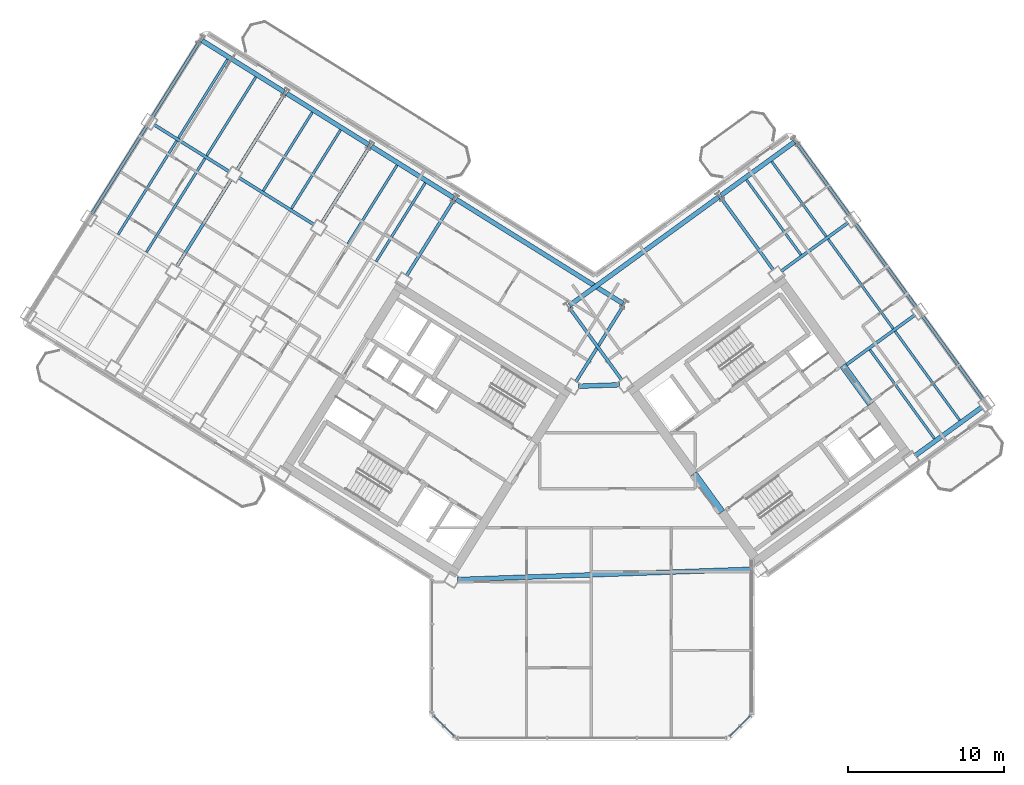
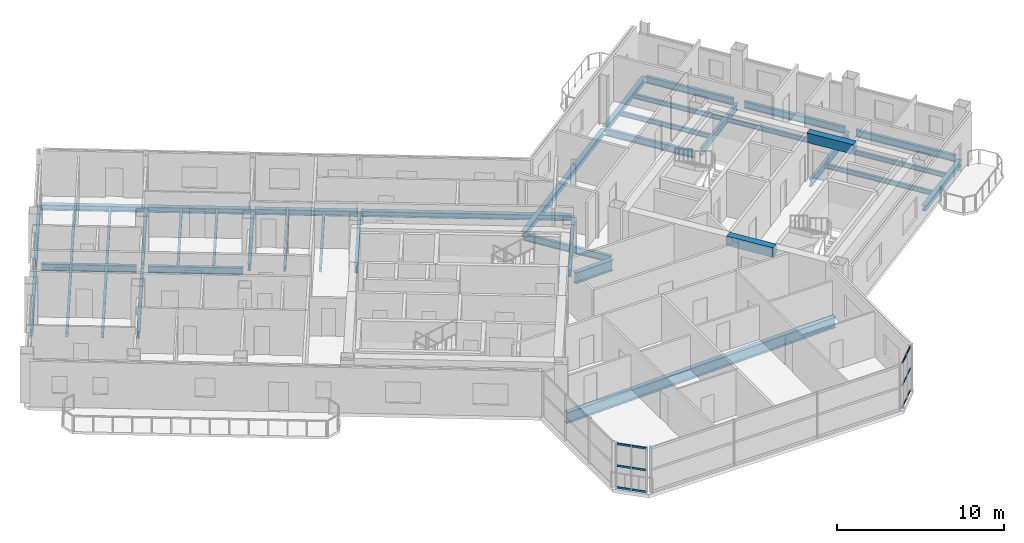
# One storey, part 7 of 21: 40 beams, 12 members, 2 elements without a shape of their own.
"""IFC4 building model written with IfcOpenShell, lengths in metres."""

import ifcopenshell
import ifcopenshell.guid

model = None  # the IFC model being written
_history = None  # IfcOwnerHistory: only IFC2X3 demands one
_inside = {}  # id of a spatial element -> (the spatial element, [elements in it])
_under = {}  # id of a project, library or spatial element -> (it, [spatial elements below it])
_declared = {}  # id of a project -> (the project, [libraries it declares])
_typed = {}  # id of a type object -> (the type object, [elements of that type])
_made_of = {}  # id of a material, layer set ... -> (it, [elements and type objects made of it])


def new_model(schema):
    """Start an empty IFC model of exactly this schema.

    Asked for "IFC4X3", IfcOpenShell would pick the latest addendum, in which some entities
    have other attributes; the version numbers below select the first issue.
    IFC2X3 requires an IfcOwnerHistory on every rooted entity: one is made here for all.
    """
    global model, _history
    if schema == "IFC4X3":
        model = ifcopenshell.file(schema_version=(4, 3, 0, 0))
    else:
        model = ifcopenshell.file(schema=schema)
    _inside.clear()
    _under.clear()
    _declared.clear()
    _typed.clear()
    _made_of.clear()
    _history = None
    if model.schema == "IFC2X3":
        org = make("IfcOrganization", Name="unknown")
        user = make(
            "IfcPersonAndOrganization",
            ThePerson=make("IfcPerson", FamilyName="unknown"),
            TheOrganization=org,
        )
        app = make(
            "IfcApplication",
            ApplicationDeveloper=org,
            Version="unknown",
            ApplicationFullName="unknown",
            ApplicationIdentifier="unknown",
        )
        _history = make(
            "IfcOwnerHistory",
            OwningUser=user,
            OwningApplication=app,
            ChangeAction="ADDED",
            CreationDate=0,
        )
    return model


def make(cls, **values):
    """One entity of the class cls with the attributes given. An attribute that is None is left unset."""
    return model.create_entity(
        cls, **{name: value for name, value in values.items() if value is not None}
    )


def rooted(cls, **values):
    """An entity with a GlobalId (a new one), such as an element, a storey or a relation."""
    return make(cls, GlobalId=ifcopenshell.guid.new(), OwnerHistory=_history, **values)


def si_unit(unit_type, name, prefix=None):
    """IfcSIUnit, for example si_unit("LENGTHUNIT", "METRE", prefix="MILLI")."""
    return make("IfcSIUnit", UnitType=unit_type, Prefix=prefix, Name=name)


def assignment(units):
    """IfcUnitAssignment: the units of a project."""
    return None if units is None else make("IfcUnitAssignment", Units=units)


def point(xyz):
    """IfcCartesianPoint."""
    return None if xyz is None else make("IfcCartesianPoint", Coordinates=xyz)


def direction(xyz):
    """IfcDirection."""
    return None if xyz is None else make("IfcDirection", DirectionRatios=xyz)


def frame(location, z_axis=None, x_axis=None):
    """IfcAxis2Placement3D, a coordinate frame: its origin and axes. An axis left out is left unset."""
    return make(
        "IfcAxis2Placement3D",
        Location=point(location),
        Axis=direction(z_axis),
        RefDirection=direction(x_axis),
    )


def frame_2d(location, x_axis=None):
    """IfcAxis2Placement2D, a coordinate frame in the plane: its origin and x axis."""
    return make(
        "IfcAxis2Placement2D", Location=point(location), RefDirection=direction(x_axis)
    )


def origin():
    """The frame at (0, 0, 0) with its axes left unset."""
    return frame((0.0, 0.0, 0.0))


def origin_2d():
    """The frame at (0, 0) in the plane with its x axis left unset."""
    return frame_2d((0.0, 0.0))


def place(relative_to, where):
    """IfcLocalPlacement: puts the frame where relative to a parent placement (None: the world)."""
    return make(
        "IfcLocalPlacement", PlacementRelTo=relative_to, RelativePlacement=where
    )


def context(
    kind, dimensions, precision=None, world=None, true_north=None, identifier=None
):
    """IfcGeometricRepresentationContext, for example the 3D "Model" context."""
    return make(
        "IfcGeometricRepresentationContext",
        ContextIdentifier=identifier,
        ContextType=kind,
        CoordinateSpaceDimension=dimensions,
        Precision=precision,
        WorldCoordinateSystem=world,
        TrueNorth=true_north,
    )


def subcontext(parent, identifier, kind, view, scale=None):
    """IfcGeometricRepresentationSubContext, for example "Body" below "Model"."""
    return make(
        "IfcGeometricRepresentationSubContext",
        ContextIdentifier=identifier,
        ContextType=kind,
        ParentContext=parent,
        TargetScale=scale,
        TargetView=view,
    )


def project(units=None, contexts=None):
    """IfcProject with its units and contexts."""
    return rooted(
        "IfcProject",
        Name="project",
        RepresentationContexts=contexts,
        UnitsInContext=assignment(units),
    )


def spatial(cls, under=None, at=None, **own):
    """A site, building, storey or space (cls), placed at a placement, below another one or the project."""
    s = rooted(cls, ObjectPlacement=at, **own)
    if under is not None:
        _under.setdefault(under.id(), (under, []))[1].append(s)
    return s


def profile(cls, at=None, kind="AREA", **sizes):
    """A parametric profile (cls). Its sizes go by their IFC names, for example OverallWidth=200.0."""
    return make(cls, ProfileType=kind, Position=at, **sizes)


def rectangle(**sizes):
    """IfcRectangleProfileDef."""
    return profile("IfcRectangleProfileDef", **sizes)


def hollow_rectangle(**sizes):
    """IfcRectangleHollowProfileDef."""
    return profile("IfcRectangleHollowProfileDef", **sizes)


def i_section(**sizes):
    """IfcIShapeProfileDef."""
    return profile("IfcIShapeProfileDef", **sizes)


def extrude(swept, where, along, depth):
    """IfcExtrudedAreaSolid: the profile swept, set in the frame where, extruded along a direction by depth."""
    return make(
        "IfcExtrudedAreaSolid",
        SweptArea=swept,
        Position=where,
        ExtrudedDirection=direction(along),
        Depth=depth,
    )


def shape(context_of_items, identifier, shape_type, items):
    """IfcShapeRepresentation: the items that make up one representation, for example the "Body"."""
    return make(
        "IfcShapeRepresentation",
        ContextOfItems=context_of_items,
        RepresentationIdentifier=identifier,
        RepresentationType=shape_type,
        Items=items,
    )


def source(mapping_origin, context_of_items, identifier, shape_type, items):
    """IfcRepresentationMap: a shape defined once, which mapped items show again and again."""
    return make(
        "IfcRepresentationMap",
        MappingOrigin=mapping_origin,
        MappedRepresentation=shape(context_of_items, identifier, shape_type, items),
    )


def transform(
    local_origin,
    x_axis=None,
    y_axis=None,
    z_axis=None,
    scale=None,
    scale2=None,
    scale3=None,
    uniform=True,
):
    """IfcCartesianTransformationOperator3D, or its non-uniform kind. x_axis, y_axis, z_axis: its Axis1, 2, 3."""
    if uniform:
        return make(
            "IfcCartesianTransformationOperator3D",
            Axis1=direction(x_axis),
            Axis2=direction(y_axis),
            LocalOrigin=point(local_origin),
            Scale=scale,
            Axis3=direction(z_axis),
        )
    return make(
        "IfcCartesianTransformationOperator3DnonUniform",
        Axis1=direction(x_axis),
        Axis2=direction(y_axis),
        LocalOrigin=point(local_origin),
        Scale=scale,
        Axis3=direction(z_axis),
        Scale2=scale2,
        Scale3=scale3,
    )


def mapped(mapping_source, mapping_target):
    """IfcMappedItem: shows the shape of a source again, moved by a transform."""
    return make(
        "IfcMappedItem", MappingSource=mapping_source, MappingTarget=mapping_target
    )


def material(Name=None, Category=None):
    """IfcMaterial."""
    return make("IfcMaterial", Name=Name, Category=Category)


def material_profile(
    of_material, cross_section, Name=None, Category=None, Priority=None
):
    """IfcMaterialProfile: a cross section and its material."""
    return make(
        "IfcMaterialProfile",
        Name=Name,
        Material=of_material,
        Profile=cross_section,
        Priority=Priority,
        Category=Category,
    )


def profile_set(profiles, Name=None, composite=None):
    """IfcMaterialProfileSet."""
    return make(
        "IfcMaterialProfileSet",
        Name=Name,
        MaterialProfiles=profiles,
        CompositeProfile=composite,
    )


def made_of(thing, what):
    """Note that an element or type object is made of a material, layer set ...; save() writes the relation."""
    if what is not None:
        _made_of.setdefault(what.id(), (what, []))[1].append(thing)
    return thing


def type_object(cls, material=None, **own):
    """A type object (cls), such as IfcWallType, which elements share."""
    return made_of(rooted(cls, **own), material)


def element(
    cls,
    number,
    at=None,
    inside=None,
    cuts=None,
    type_object=None,
    material=None,
    context=None,
    identifier="Body",
    shape_type=None,
    held_by="IfcProductDefinitionShape",
    body=None,
    shapes=None,
    **own,
):
    """One element of the class cls, such as IfcWall. Its Tag is "e" and its number.

    at: its placement. inside: the storey or other place that contains it. cuts: it is an
    opening in that element (IfcRelVoidsElement). A single representation is given by context,
    identifier, shape_type and body (its items); several are given by shapes. held_by: the class
    of the entity that holds the representations. save() writes the other relations.
    """
    e = rooted(cls, Tag="e%d" % number, ObjectPlacement=at, **own)
    if body is not None:
        shapes = [shape(context, identifier, shape_type, body)]
    if shapes is not None:
        e.Representation = make(held_by, Representations=shapes)
    if inside is not None:
        _inside.setdefault(inside.id(), (inside, []))[1].append(e)
    if cuts is not None:
        rooted(
            "IfcRelVoidsElement", RelatingBuildingElement=cuts, RelatedOpeningElement=e
        )
    if type_object is not None:
        _typed.setdefault(type_object.id(), (type_object, []))[1].append(e)
    return made_of(e, material)


def aggregate(whole, parts):
    """IfcRelAggregates: a whole, such as a stair, and the parts it consists of."""
    return rooted("IfcRelAggregates", RelatingObject=whole, RelatedObjects=parts)


def save(model, path):
    """Write the relations noted so far, then the file.

    IfcRelAggregates (storeys below a building ...), IfcRelContainedInSpatialStructure (elements
    in a storey), IfcRelDefinesByType, IfcRelAssociatesMaterial and IfcRelDeclares: one each for
    every whole, place, type object, material and project.
    """
    for whole, parts in _under.values():
        aggregate(whole, parts)
    for where, things in _inside.values():
        rooted(
            "IfcRelContainedInSpatialStructure",
            RelatedElements=things,
            RelatingStructure=where,
        )
    for kind, things in _typed.values():
        rooted("IfcRelDefinesByType", RelatedObjects=things, RelatingType=kind)
    for what, things in _made_of.values():
        rooted("IfcRelAssociatesMaterial", RelatedObjects=things, RelatingMaterial=what)
    for by, libraries in _declared.values():
        rooted("IfcRelDeclares", RelatingContext=by, RelatedDefinitions=libraries)
    model.write(path)


model = new_model("IFC4")

# Units and contexts
model_context = context("Model", 3, precision=1e-05, world=origin(), true_north=direction((0.0, 1.0)))
body_context = subcontext(model_context, "Body", "Model", "MODEL_VIEW")
ifc_project = project(units=[si_unit("LENGTHUNIT", "METRE"), si_unit("AREAUNIT", "SQUARE_METRE"), si_unit("VOLUMEUNIT", "CUBIC_METRE"), si_unit("PLANEANGLEUNIT", "RADIAN"), si_unit("MASSUNIT", "GRAM", prefix="KILO")], contexts=[model_context])

# Site, building, storey
site_placement = place(None, origin())
site = spatial("IfcSite", under=ifc_project, at=site_placement, CompositionType="ELEMENT")
building_placement = place(site_placement, origin())
building = spatial("IfcBuilding", under=site, at=building_placement, Name="Tlacorven Tower", CompositionType="ELEMENT")
storey_placement = place(building_placement, frame((0.0, 0.0, 191.39990234375)))
storey = spatial("IfcBuildingStorey", under=building, at=storey_placement, Name="L48", CompositionType="ELEMENT", Elevation=191.39990234375)

# Beams
ifc_material_1 = material(Name="Concrete C60/75", Category="concrete")
ifc_material_profile_1 = material_profile(ifc_material_1, rectangle(XDim=0.449951171875, YDim=0.699951171875, at=origin_2d()), Name="RC 450X700")
ifc_profile_set_1 = profile_set([ifc_material_profile_1], Name="Concrete C60/75")
beam_type_1 = type_object("IfcBeamType", Name="BM-LNT-700", PredefinedType="LINTEL", material=ifc_profile_set_1)
shared_shape_1 = source(origin(), body_context, "Body", "SweptSolid", [
    extrude(rectangle(XDim=0.449951171875, YDim=0.699951171875, at=origin_2d()), origin(), (0.0, 0.0, 1.0), 3.050048828125),
])
for number, where, z_axis, x_axis, name in (
    (1, (50.318359375, 16.416015625, 2.97021484375), (-0.587776590479, 0.80902328748, 0.0), (-0.80902328748, -0.587776590479, 0.0), "L48 E core coupling lintel beam E1"),
    (2, (59.856689453125, 23.345947265625, 2.97021484375), (-0.587776590479, 0.80902328748, 0.0), (-0.80902328748, -0.587776590479, 0.0), "L48 E core coupling lintel beam E2"),
):
    element("IfcBeam", number, at=place(storey_placement, frame(where, z_axis=z_axis, x_axis=x_axis)), inside=storey, type_object=beam_type_1, Name=name, PredefinedType="LINTEL", context=body_context, shape_type="MappedRepresentation", body=[
        mapped(shared_shape_1, transform((0.0, 0.0, 0.0), scale=1.0)),
    ])
ifc_material_2 = material(Name="Steel S355J2", Category="steel")
ifc_material_profile_2 = material_profile(ifc_material_2, i_section(OverallWidth=0.300048828125, OverallDepth=0.800048828125, WebThickness=0.017578125, FlangeThickness=0.032958984375, at=origin_2d()), Name="HEB 800")
ifc_profile_set_2 = profile_set([ifc_material_profile_2], Name="Steel S355J2")
beam_type_2 = type_object("IfcBeamType", Name="BM-POD-800", PredefinedType="BEAM", material=ifc_profile_set_2)
shared_shape_2 = source(origin(), body_context, "Body", "SweptSolid", [
    extrude(i_section(OverallWidth=0.300048828125, OverallDepth=0.800048828125, WebThickness=0.017578125, FlangeThickness=0.032958984375, at=origin_2d()), origin(), (0.0, 0.0, 1.0), 2.642822265625),
])
beam_1_placement = place(storey_placement, frame((41.1328125, 24.480712890625, -0.64990234375), z_axis=(0.999393314814, 0.034828182629, 0.0), x_axis=(-0.034828182629, 0.999393314814, 0.0)))
element("IfcBeam", 3, at=beam_1_placement, inside=storey, type_object=beam_type_2, Name="L48 Knuckle Link Girder 1", PredefinedType="BEAM", context=body_context, shape_type="MappedRepresentation", body=[
    mapped(shared_shape_2, transform((0.0, 0.0, 0.0), scale=1.0)),
])
ifc_material_profile_3 = material_profile(ifc_material_2, i_section(OverallWidth=0.199951171875, OverallDepth=0.5, WebThickness=0.01025390625, FlangeThickness=0.01611328125, at=origin_2d()), Name="IPE 500")
ifc_profile_set_3 = profile_set([ifc_material_profile_3], Name="Steel S355J2")
beam_type_3 = type_object("IfcBeamType", Name="BM-TWR-500", PredefinedType="BEAM", material=ifc_profile_set_3)
shared_shape_3 = source(origin(), body_context, "Body", "SweptSolid", [
    extrude(i_section(OverallWidth=0.199951171875, OverallDepth=0.5, WebThickness=0.01025390625, FlangeThickness=0.01611328125, at=origin_2d()), origin(), (0.0, 0.0, 1.0), 5.7001953125),
])
for number, where, z_axis, x_axis, name in (
    (4, (24.20361328125, 34.828369140625, -0.5), (-0.848056048787, 0.529906537151, 0.0), (-0.529906537151, -0.848056048787, 0.0), "L48 beam BM-L48-WL2-4"),
    (5, (18.776123046875, 38.2197265625, -0.5), (-0.848056048787, 0.529906537151, 0.0), (-0.529906537151, -0.848056048787, 0.0), "L48 beam BM-L48-WL2-5"),
):
    element("IfcBeam", number, at=place(storey_placement, frame(where, z_axis=z_axis, x_axis=x_axis)), inside=storey, type_object=beam_type_3, Name=name, PredefinedType="BEAM", context=body_context, shape_type="MappedRepresentation", body=[
        mapped(shared_shape_3, transform((0.0, 0.0, 0.0), scale=1.0)),
    ])
shared_shape_4 = source(origin(), body_context, "Body", "SweptSolid", [
    extrude(i_section(OverallWidth=0.199951171875, OverallDepth=0.5, WebThickness=0.01025390625, FlangeThickness=0.01611328125, at=origin_2d()), origin(), (0.0, 0.0, 1.0), 5.75),
])
for number, where, z_axis, x_axis, name in (
    (6, (44.015380859375, 29.6416015625, -0.5), (-0.529884439831, -0.848069855864, 0.0), (0.848069855864, -0.529884439831, 0.0), "L48 beam BM-L48-WT1-1"),
    (7, (33.160400390625, 36.424560546875, -0.5), (-0.529884439831, -0.848069855864, 0.0), (0.848069855864, -0.529884439831, 0.0), "L48 beam BM-L48-WT3-1"),
    (8, (27.73291015625, 39.81591796875, -0.5), (-0.529934056882, -0.848038852504, 0.0), (0.848038852504, -0.529934056882, 0.0), "L48 beam BM-L48-WT4-1"),
    (9, (16.8779296875, 46.598876953125, -0.5), (-0.529934056882, -0.848038852504, 0.0), (0.848038852504, -0.529934056882, 0.0), "L48 beam BM-L48-WT6-1"),
    (10, (43.91796875, 24.8681640625, -0.5), (-0.587770208527, 0.809027924097, 0.0), (-0.809027924097, -0.587770208527, 0.0), "L48 beam BM-L48-ET1-2"),
    (11, (53.626220703125, 31.921630859375, -0.5), (-0.587770208527, 0.809027924097, 0.0), (-0.809027924097, -0.587770208527, 0.0), "L48 beam BM-L48-ET3-2"),
    (12, (58.480224609375, 35.4482421875, -0.5), (-0.587770208527, 0.809027924097, 0.0), (-0.809027924097, -0.587770208527, 0.0), "L48 beam BM-L48-ET4-3"),
):
    element("IfcBeam", number, at=place(storey_placement, frame(where, z_axis=z_axis, x_axis=x_axis)), inside=storey, type_object=beam_type_3, Name=name, PredefinedType="BEAM", context=body_context, shape_type="MappedRepresentation", body=[
        mapped(shared_shape_4, transform((0.0, 0.0, 0.0), scale=1.0)),
    ])
shared_shape_5 = source(origin(), body_context, "Body", "SweptSolid", [
    extrude(i_section(OverallWidth=0.199951171875, OverallDepth=0.5, WebThickness=0.01025390625, FlangeThickness=0.01611328125, at=origin_2d()), origin(), (0.0, 0.0, 1.0), 6.599853515625),
])
beam_2_placement = place(storey_placement, frame((13.4599609375, 41.12890625, -0.5), z_axis=(-0.529942412256, -0.848033631227, 0.0), x_axis=(0.848033631227, -0.529942412256, 0.0)))
element("IfcBeam", 13, at=beam_2_placement, inside=storey, type_object=beam_type_3, Name="L48 beam BM-L48-WT6-2", PredefinedType="BEAM", context=body_context, shape_type="MappedRepresentation", body=[
    mapped(shared_shape_5, transform((0.0, 0.0, 0.0), scale=1.0)),
])
shared_shape_6 = source(origin(), body_context, "Body", "SweptSolid", [
    extrude(i_section(OverallWidth=0.199951171875, OverallDepth=0.5, WebThickness=0.01025390625, FlangeThickness=0.01611328125, at=origin_2d()), origin(), (0.0, 0.0, 1.0), 6.60009765625),
])
for number, where, z_axis, x_axis, name in (
    (14, (18.887451171875, 37.737548828125, -0.5), (-0.529925788294, -0.848044019436, 0.0), (0.848044019436, -0.529925788294, 0.0), "L48 beam BM-L48-WT5-2"),
    (15, (67.06201171875, 23.63671875, -0.5), (-0.587780128583, 0.809020716943, 0.0), (-0.809020716943, -0.587780128583, 0.0), "L48 beam BM-L48-ET4-1"),
    (16, (62.771240234375, 29.54248046875, -0.5), (-0.587780128583, 0.809020716943, 0.0), (-0.809020716943, -0.587780128583, 0.0), "L48 beam BM-L48-ET4-2"),
):
    element("IfcBeam", number, at=place(storey_placement, frame(where, z_axis=z_axis, x_axis=x_axis)), inside=storey, type_object=beam_type_3, Name=name, PredefinedType="BEAM", context=body_context, shape_type="MappedRepresentation", body=[
        mapped(shared_shape_6, transform((0.0, 0.0, 0.0), scale=1.0)),
    ])
shared_shape_7 = source(origin(), body_context, "Body", "SweptSolid", [
    extrude(i_section(OverallWidth=0.199951171875, OverallDepth=0.5, WebThickness=0.01025390625, FlangeThickness=0.01611328125, at=origin_2d()), origin(), (0.0, 0.0, 1.0), 5.750244140625),
])
beam_3_placement = place(storey_placement, frame((22.305419921875, 43.20751953125, -0.5), z_axis=(-0.529914976044, -0.848050775699, 0.0), x_axis=(0.848050775699, -0.529914976044, 0.0)))
element("IfcBeam", 17, at=beam_3_placement, inside=storey, type_object=beam_type_3, Name="L48 beam BM-L48-WT5-1", PredefinedType="BEAM", context=body_context, shape_type="MappedRepresentation", body=[
    mapped(shared_shape_7, transform((0.0, 0.0, 0.0), scale=1.0)),
])
shared_shape_8 = source(origin(), body_context, "Body", "SweptSolid", [
    extrude(i_section(OverallWidth=0.199951171875, OverallDepth=0.5, WebThickness=0.01025390625, FlangeThickness=0.01611328125, at=origin_2d()), origin(), (0.0, 0.0, 1.0), 5.300048828125),
])
beam_4_placement = place(storey_placement, frame((54.114990234375, 31.84423828125, -0.5), z_axis=(0.809022830186, 0.587777219904, 0.0), x_axis=(-0.587777219904, 0.809022830186, 0.0)))
element("IfcBeam", 18, at=beam_4_placement, inside=storey, type_object=beam_type_3, Name="L48 beam BM-L48-EL3-3", PredefinedType="BEAM", context=body_context, shape_type="MappedRepresentation", body=[
    mapped(shared_shape_8, transform((0.0, 0.0, 0.0), scale=1.0)),
])
shared_shape_9 = source(origin(), body_context, "Body", "SweptSolid", [
    extrude(i_section(OverallWidth=0.199951171875, OverallDepth=0.5, WebThickness=0.01025390625, FlangeThickness=0.01611328125, at=origin_2d()), origin(), (0.0, 0.0, 1.0), 5.6103515625),
])
beam_5_placement = place(storey_placement, frame((58.155029296875, 25.756103515625, -0.5), z_axis=(0.809020142627, 0.587780919071, 0.0), x_axis=(-0.587780919071, 0.809020142627, 0.0)))
element("IfcBeam", 19, at=beam_5_placement, inside=storey, type_object=beam_type_3, Name="L48 beam BM-L48-EL2-3", PredefinedType="BEAM", context=body_context, shape_type="MappedRepresentation", body=[
    mapped(shared_shape_9, transform((0.0, 0.0, 0.0), scale=1.0)),
])
shared_shape_10 = source(origin(), body_context, "Body", "SweptSolid", [
    extrude(i_section(OverallWidth=0.300048828125, OverallDepth=0.800048828125, WebThickness=0.017578125, FlangeThickness=0.032958984375, at=origin_2d()), origin(), (0.0, 0.0, 1.0), 18.97119140625),
])
beam_6_placement = place(storey_placement, frame((33.39599609375, 12.09912109375, -0.64990234375), z_axis=(0.999390787537, 0.034900627304, 0.0), x_axis=(-0.034900627304, 0.999390787537, 0.0)))
element("IfcBeam", 20, at=beam_6_placement, inside=storey, type_object=beam_type_2, Name="L48 Knuckle Link Girder 2", PredefinedType="BEAM", context=body_context, shape_type="MappedRepresentation", body=[
    mapped(shared_shape_10, transform((0.0, 0.0, 0.0), scale=1.0)),
])
ifc_material_profile_4 = material_profile(ifc_material_2, i_section(OverallWidth=0.159912109375, OverallDepth=0.330078125, WebThickness=0.007568359375, FlangeThickness=0.011474609375, at=origin_2d()), Name="IPE 330")
ifc_profile_set_4 = profile_set([ifc_material_profile_4], Name="Steel S355J2")
beam_type_4 = type_object("IfcBeamType", Name="BM-JST-330", PredefinedType="JOIST", material=ifc_profile_set_4)
shared_shape_11 = source(origin(), body_context, "Body", "SweptSolid", [
    extrude(i_section(OverallWidth=0.159912109375, OverallDepth=0.330078125, WebThickness=0.007568359375, FlangeThickness=0.011474609375, at=origin_2d()), origin(), (0.0, 0.0, 1.0), 7.0400390625),
])
beam_7_placement = place(storey_placement, frame((63.9404296875, 21.127685546875, -0.414794921875), z_axis=(-0.587773661987, 0.809025415098, 0.0), x_axis=(-0.809025415098, -0.587773661987, 0.0)))
element("IfcBeam", 21, at=beam_7_placement, inside=storey, type_object=beam_type_4, Name="L48 beam BM-L48-EJ3-1-1", PredefinedType="JOIST", context=body_context, shape_type="MappedRepresentation", body=[
    mapped(shared_shape_11, transform((0.0, 0.0, 0.0), scale=1.0)),
])
shared_shape_12 = source(origin(), body_context, "Body", "SweptSolid", [
    extrude(i_section(OverallWidth=0.159912109375, OverallDepth=0.330078125, WebThickness=0.007568359375, FlangeThickness=0.011474609375, at=origin_2d()), origin(), (0.0, 0.0, 1.0), 5.940185546875),
])
for number, where, z_axis, x_axis, name in (
    (22, (29.512939453125, 38.638916015625, -0.414794921875), (-0.529902882565, -0.848058332339, 0.0), (0.848058332339, -0.529902882565, 0.0), "L48 beam BM-L48-WJ3-1-2"),
    (23, (25.894775390625, 40.899658203125, -0.414794921875), (-0.529950911506, -0.848028319924, 0.0), (0.848028319924, -0.529950911506, 0.0), "L48 beam BM-L48-WJ4-1-1"),
    (24, (18.657958984375, 45.421875, -0.414794921875), (-0.529902882565, -0.848058332339, 0.0), (0.848058332339, -0.529902882565, 0.0), "L48 beam BM-L48-WJ5-1-2"),
    (25, (55.38818359375, 32.89892578125, -0.414794921875), (-0.587778174144, 0.809022136903, 0.0), (-0.809022136903, -0.587778174144, 0.0), "L48 beam BM-L48-EJ3-3-1"),
    (26, (57.00634765625, 34.074462890625, -0.414794921875), (-0.587778174144, 0.809022136903, 0.0), (-0.809022136903, -0.587778174144, 0.0), "L48 beam BM-L48-EJ3-3-2"),
):
    element("IfcBeam", number, at=place(storey_placement, frame(where, z_axis=z_axis, x_axis=x_axis)), inside=storey, type_object=beam_type_4, Name=name, PredefinedType="JOIST", context=body_context, shape_type="MappedRepresentation", body=[
        mapped(shared_shape_12, transform((0.0, 0.0, 0.0), scale=1.0)),
    ])
shared_shape_13 = source(origin(), body_context, "Body", "SweptSolid", [
    extrude(i_section(OverallWidth=0.159912109375, OverallDepth=0.330078125, WebThickness=0.007568359375, FlangeThickness=0.011474609375, at=origin_2d()), origin(), (0.0, 0.0, 1.0), 7.090087890625),
])
for number, where, z_axis, x_axis, name in (
    (27, (17.208251953125, 39.07568359375, -0.414794921875), (-0.529937035031, -0.848036991471, 0.0), (0.848036991471, -0.529937035031, 0.0), "L48 beam BM-L48-WJ5-2-1"),
    (28, (15.39892578125, 40.206298828125, -0.414794921875), (-0.529912270669, -0.84805246618, 0.0), (0.84805246618, -0.529912270669, 0.0), "L48 beam BM-L48-WJ5-2-2"),
    (29, (61.297119140625, 28.168701171875, -0.414794921875), (-0.587782622309, 0.809018905164, 0.0), (-0.809018905164, -0.587782622309, 0.0), "L48 beam BM-L48-EJ3-2-2"),
):
    element("IfcBeam", number, at=place(storey_placement, frame(where, z_axis=z_axis, x_axis=x_axis)), inside=storey, type_object=beam_type_4, Name=name, PredefinedType="JOIST", context=body_context, shape_type="MappedRepresentation", body=[
        mapped(shared_shape_13, transform((0.0, 0.0, 0.0), scale=1.0)),
    ])
shared_shape_14 = source(origin(), body_context, "Body", "SweptSolid", [
    extrude(i_section(OverallWidth=0.159912109375, OverallDepth=0.330078125, WebThickness=0.007568359375, FlangeThickness=0.011474609375, at=origin_2d()), origin(), (0.0, 0.0, 1.0), 5.93994140625),
])
for number, where, z_axis, x_axis, name in (
    (30, (31.322265625, 37.50830078125, -0.414794921875), (-0.529921352973, -0.848046790963, 0.0), (0.848046790963, -0.529921352973, 0.0), "L48 beam BM-L48-WJ3-1-1"),
    (31, (24.08544921875, 42.0302734375, -0.414794921875), (-0.529921352973, -0.848046790963, 0.0), (0.848046790963, -0.529921352973, 0.0), "L48 beam BM-L48-WJ4-1-2"),
    (32, (20.467041015625, 44.291259765625, -0.414794921875), (-0.529921352973, -0.848046790963, 0.0), (0.848046790963, -0.529921352973, 0.0), "L48 beam BM-L48-WJ5-1-1"),
):
    element("IfcBeam", number, at=place(storey_placement, frame(where, z_axis=z_axis, x_axis=x_axis)), inside=storey, type_object=beam_type_4, Name=name, PredefinedType="JOIST", context=body_context, shape_type="MappedRepresentation", body=[
        mapped(shared_shape_14, transform((0.0, 0.0, 0.0), scale=1.0)),
    ])
shared_shape_15 = source(origin(), body_context, "Body", "SweptSolid", [
    extrude(i_section(OverallWidth=0.159912109375, OverallDepth=0.330078125, WebThickness=0.007568359375, FlangeThickness=0.011474609375, at=origin_2d()), origin(), (0.0, 0.0, 1.0), 7.039794921875),
])
beam_8_placement = place(storey_placement, frame((65.55859375, 22.303466796875, -0.414794921875), z_axis=(-0.587790152999, 0.809013433781, 0.0), x_axis=(-0.809013433781, -0.587790152999, 0.0)))
element("IfcBeam", 33, at=beam_8_placement, inside=storey, type_object=beam_type_4, Name="L48 beam BM-L48-EJ3-1-2", PredefinedType="JOIST", context=body_context, shape_type="MappedRepresentation", body=[
    mapped(shared_shape_15, transform((0.0, 0.0, 0.0), scale=1.0)),
])
ifc_material_profile_5 = material_profile(ifc_material_2, i_section(OverallWidth=0.300048828125, OverallDepth=0.389892578125, WebThickness=0.010986328125, FlangeThickness=0.01904296875, at=origin_2d()), Name="HEA 400")
ifc_profile_set_5 = profile_set([ifc_material_profile_5], Name="Steel S355J2")
beam_type_5 = type_object("IfcBeamType", Name="BM-SPN-400", PredefinedType="SPANDREL", material=ifc_profile_set_5)
shared_shape_16 = source(origin(), body_context, "Body", "SweptSolid", [
    extrude(i_section(OverallWidth=0.300048828125, OverallDepth=0.389892578125, WebThickness=0.010986328125, FlangeThickness=0.01904296875, at=origin_2d()), origin(), (0.0, 0.0, 1.0), 12.599853515625),
])
beam_9_placement = place(storey_placement, frame((43.983642578125, 29.779296875, -0.44482421875), z_axis=(-0.848045108756, 0.529924045043, 0.0), x_axis=(-0.529924045043, -0.848045108756, 0.0)))
element("IfcBeam", 34, at=beam_9_placement, inside=storey, type_object=beam_type_5, Name="L48 beam BM-L48-WL1-1", PredefinedType="SPANDREL", context=body_context, shape_type="MappedRepresentation", body=[
    mapped(shared_shape_16, transform((0.0, 0.0, 0.0), scale=1.0)),
])
shared_shape_17 = source(origin(), body_context, "Body", "SweptSolid", [
    extrude(i_section(OverallWidth=0.300048828125, OverallDepth=0.389892578125, WebThickness=0.010986328125, FlangeThickness=0.01904296875, at=origin_2d()), origin(), (0.0, 0.0, 1.0), 6.199951171875),
])
beam_10_placement = place(storey_placement, frame((33.128662109375, 36.562255859375, -0.44482421875), z_axis=(-0.848051394107, 0.529913986372, 0.0), x_axis=(-0.529913986372, -0.848051394107, 0.0)))
element("IfcBeam", 35, at=beam_10_placement, inside=storey, type_object=beam_type_5, Name="L48 beam BM-L48-WL1-3", PredefinedType="SPANDREL", context=body_context, shape_type="MappedRepresentation", body=[
    mapped(shared_shape_17, transform((0.0, 0.0, 0.0), scale=1.0)),
])
shared_shape_18 = source(origin(), body_context, "Body", "SweptSolid", [
    extrude(i_section(OverallWidth=0.300048828125, OverallDepth=0.389892578125, WebThickness=0.010986328125, FlangeThickness=0.01904296875, at=origin_2d()), origin(), (0.0, 0.0, 1.0), 6.2001953125),
])
for number, where, z_axis, x_axis, name in (
    (36, (27.701171875, 39.95361328125, -0.44482421875), (-0.84804475579, 0.5299246099, 0.0), (-0.5299246099, -0.84804475579, 0.0), "L48 beam BM-L48-WL1-4"),
    (37, (22.273681640625, 43.34521484375, -0.44482421875), (-0.848062451332, 0.529896290457, 0.0), (-0.529896290457, -0.848062451332, 0.0), "L48 beam BM-L48-WL1-5"),
):
    element("IfcBeam", number, at=place(storey_placement, frame(where, z_axis=z_axis, x_axis=x_axis)), inside=storey, type_object=beam_type_5, Name=name, PredefinedType="SPANDREL", context=body_context, shape_type="MappedRepresentation", body=[
        mapped(shared_shape_18, transform((0.0, 0.0, 0.0), scale=1.0)),
    ])
shared_shape_19 = source(origin(), body_context, "Body", "SweptSolid", [
    extrude(i_section(OverallWidth=0.300048828125, OverallDepth=0.389892578125, WebThickness=0.010986328125, FlangeThickness=0.01904296875, at=origin_2d()), origin(), (0.0, 0.0, 1.0), 5.300048828125),
])
beam_11_placement = place(storey_placement, frame((62.69677734375, 20.032470703125, -0.44482421875), z_axis=(0.809022830186, 0.587777219904, 0.0), x_axis=(-0.587777219904, 0.809022830186, 0.0)))
element("IfcBeam", 38, at=beam_11_placement, inside=storey, type_object=beam_type_5, Name="L48 beam BM-L48-EL1-3", PredefinedType="SPANDREL", context=body_context, shape_type="MappedRepresentation", body=[
    mapped(shared_shape_19, transform((0.0, 0.0, 0.0), scale=1.0)),
])
shared_shape_20 = source(origin(), body_context, "Body", "SweptSolid", [
    extrude(i_section(OverallWidth=0.300048828125, OverallDepth=0.389892578125, WebThickness=0.010986328125, FlangeThickness=0.01904296875, at=origin_2d()), origin(), (0.0, 0.0, 1.0), 11.800048828125),
])
beam_12_placement = place(storey_placement, frame((40.560302734375, 29.65966796875, -0.44482421875), z_axis=(0.80900977213, 0.587795192732, 0.0), x_axis=(-0.587795192732, 0.80900977213, 0.0)))
element("IfcBeam", 39, at=beam_12_placement, inside=storey, type_object=beam_type_5, Name="L48 beam BM-L48-EL4-1", PredefinedType="SPANDREL", context=body_context, shape_type="MappedRepresentation", body=[
    mapped(shared_shape_20, transform((0.0, 0.0, 0.0), scale=1.0)),
])
shared_shape_21 = source(origin(), body_context, "Body", "SweptSolid", [
    extrude(i_section(OverallWidth=0.300048828125, OverallDepth=0.389892578125, WebThickness=0.010986328125, FlangeThickness=0.01904296875, at=origin_2d()), origin(), (0.0, 0.0, 1.0), 5.800048828125),
])
beam_13_placement = place(storey_placement, frame((50.2685546875, 36.713134765625, -0.44482421875), z_axis=(0.809019944521, 0.587781191743, 0.0), x_axis=(-0.587781191743, 0.809019944521, 0.0)))
element("IfcBeam", 40, at=beam_13_placement, inside=storey, type_object=beam_type_5, Name="L48 beam BM-L48-EL4-3", PredefinedType="SPANDREL", context=body_context, shape_type="MappedRepresentation", body=[
    mapped(shared_shape_21, transform((0.0, 0.0, 0.0), scale=1.0)),
])

# Curtain wall, members
ifc_material_3 = material(Name="Dark solar low-E double glazing in aluminium frame", Category="aluminium")
curtain_wall_type = type_object("IfcCurtainWallType", Name="CW-TWR-MID", PredefinedType="USERDEFINED", material=ifc_material_3)
curtain_wall_1_placement = place(storey_placement, origin())
curtain_wall_1 = element("IfcCurtainWall", 41, at=curtain_wall_1_placement, inside=storey, type_object=curtain_wall_type, Name="L48 CW-TWR-MID Curtain Wall 220", ObjectType="UNITISED CURTAIN WALL", PredefinedType="USERDEFINED")
ifc_material_4 = material(Name="Aluminium 6063-T6 anodised", Category="aluminium")
ifc_material_profile_6 = material_profile(ifc_material_4, hollow_rectangle(XDim=0.06005859375, YDim=0.139892578125, WallThickness=0.00390625, at=origin_2d()), Name="ALU TRANSOM 60X140")
ifc_profile_set_6 = profile_set([ifc_material_profile_6], Name="Aluminium 6063-T6 anodised")
member_type = type_object("IfcMemberType", Name="CWT-02", PredefinedType="USERDEFINED", material=ifc_profile_set_6)
shared_shape_22 = source(origin(), body_context, "Body", "SweptSolid", [
    extrude(hollow_rectangle(XDim=0.06005859375, YDim=0.139892578125, WallThickness=0.00390625, at=origin_2d()), origin(), (0.0, 0.0, 1.0), 0.8916015625),
])
member_1_placement = place(storey_placement, frame((52.1318359375, 3.358154296875, 0.070068359375), z_axis=(-0.706969864397, -0.70724367147, 0.0), x_axis=(0.70724367147, -0.706969864397, 0.0)))
member_1 = element("IfcMember", 42, at=member_1_placement, type_object=member_type, Name="CW-L48-220 Transom 1", ObjectType="TRANSOM", PredefinedType="USERDEFINED", context=body_context, shape_type="MappedRepresentation", body=[
    mapped(shared_shape_22, transform((0.0, 0.0, 0.0), scale=1.0)),
])
member_2_placement = place(storey_placement, frame((52.1318359375, 3.358154296875, 1.66015625), z_axis=(-0.706969864397, -0.70724367147, 0.0), x_axis=(0.70724367147, -0.706969864397, 0.0)))
member_2 = element("IfcMember", 43, at=member_2_placement, type_object=member_type, Name="CW-L48-220 Transom 2", ObjectType="TRANSOM", PredefinedType="USERDEFINED", context=body_context, shape_type="MappedRepresentation", body=[
    mapped(shared_shape_22, transform((0.0, 0.0, 0.0), scale=1.0)),
])
member_3_placement = place(storey_placement, frame((52.1318359375, 3.358154296875, 3.25), z_axis=(-0.706969864397, -0.70724367147, 0.0), x_axis=(0.70724367147, -0.706969864397, 0.0)))
member_3 = element("IfcMember", 44, at=member_3_placement, type_object=member_type, Name="CW-L48-220 Transom 3", ObjectType="TRANSOM", PredefinedType="USERDEFINED", context=body_context, shape_type="MappedRepresentation", body=[
    mapped(shared_shape_22, transform((0.0, 0.0, 0.0), scale=1.0)),
])

curtain_wall_2_placement = place(storey_placement, origin())
curtain_wall_2 = element("IfcCurtainWall", 45, at=curtain_wall_2_placement, inside=storey, type_object=curtain_wall_type, Name="L48 CW-TWR-MID Curtain Wall 222", ObjectType="UNITISED CURTAIN WALL", PredefinedType="USERDEFINED")
member_4_placement = place(storey_placement, frame((32.49853515625, 2.7275390625, 0.070068359375), z_axis=(-0.706969864397, 0.70724367147, 0.0), x_axis=(-0.70724367147, -0.706969864397, 0.0)))
member_4 = element("IfcMember", 46, at=member_4_placement, type_object=member_type, Name="CW-L48-222 Transom 4", ObjectType="TRANSOM", PredefinedType="USERDEFINED", context=body_context, shape_type="MappedRepresentation", body=[
    mapped(shared_shape_22, transform((0.0, 0.0, 0.0), scale=1.0)),
])
member_5_placement = place(storey_placement, frame((32.49853515625, 2.7275390625, 1.66015625), z_axis=(-0.706969864397, 0.70724367147, 0.0), x_axis=(-0.70724367147, -0.706969864397, 0.0)))
member_5 = element("IfcMember", 47, at=member_5_placement, type_object=member_type, Name="CW-L48-222 Transom 5", ObjectType="TRANSOM", PredefinedType="USERDEFINED", context=body_context, shape_type="MappedRepresentation", body=[
    mapped(shared_shape_22, transform((0.0, 0.0, 0.0), scale=1.0)),
])
member_6_placement = place(storey_placement, frame((32.49853515625, 2.7275390625, 3.25), z_axis=(-0.706969864397, 0.70724367147, 0.0), x_axis=(-0.70724367147, -0.706969864397, 0.0)))
member_6 = element("IfcMember", 48, at=member_6_placement, type_object=member_type, Name="CW-L48-222 Transom 6", ObjectType="TRANSOM", PredefinedType="USERDEFINED", context=body_context, shape_type="MappedRepresentation", body=[
    mapped(shared_shape_22, transform((0.0, 0.0, 0.0), scale=1.0)),
])

# Member
shared_shape_23 = source(origin(), body_context, "Body", "SweptSolid", [
    extrude(hollow_rectangle(XDim=0.06005859375, YDim=0.139892578125, WallThickness=0.00390625, at=origin_2d()), origin(), (0.0, 0.0, 1.0), 0.891845703125),
])
member_7_placement = place(storey_placement, frame((51.472412109375, 2.69873046875, 0.070068359375), z_axis=(-0.707106781187, -0.707106781187, 0.0), x_axis=(0.707106781187, -0.707106781187, 0.0)))
member_7 = element("IfcMember", 49, at=member_7_placement, type_object=member_type, Name="CW-L48-220 Transom 4", ObjectType="TRANSOM", PredefinedType="USERDEFINED", context=body_context, shape_type="MappedRepresentation", body=[
    mapped(shared_shape_23, transform((0.0, 0.0, 0.0), scale=1.0)),
])

member_8_placement = place(storey_placement, frame((51.472412109375, 2.69873046875, 1.66015625), z_axis=(-0.707106781187, -0.707106781187, 0.0), x_axis=(0.707106781187, -0.707106781187, 0.0)))
member_8 = element("IfcMember", 50, at=member_8_placement, type_object=member_type, Name="CW-L48-220 Transom 5", ObjectType="TRANSOM", PredefinedType="USERDEFINED", context=body_context, shape_type="MappedRepresentation", body=[
    mapped(shared_shape_23, transform((0.0, 0.0, 0.0), scale=1.0)),
])

member_9_placement = place(storey_placement, frame((51.472412109375, 2.69873046875, 3.25), z_axis=(-0.707106781187, -0.707106781187, 0.0), x_axis=(0.707106781187, -0.707106781187, 0.0)))
member_9 = element("IfcMember", 51, at=member_9_placement, type_object=member_type, Name="CW-L48-220 Transom 6", ObjectType="TRANSOM", PredefinedType="USERDEFINED", context=body_context, shape_type="MappedRepresentation", body=[
    mapped(shared_shape_23, transform((0.0, 0.0, 0.0), scale=1.0)),
])

aggregate(curtain_wall_1, [member_1, member_2, member_3, member_7, member_8, member_9])

member_10_placement = place(storey_placement, frame((33.158203125, 2.068115234375, 0.070068359375), z_axis=(-0.707106781187, 0.707106781187, 0.0), x_axis=(-0.707106781187, -0.707106781187, 0.0)))
member_10 = element("IfcMember", 52, at=member_10_placement, type_object=member_type, Name="CW-L48-222 Transom 1", ObjectType="TRANSOM", PredefinedType="USERDEFINED", context=body_context, shape_type="MappedRepresentation", body=[
    mapped(shared_shape_23, transform((0.0, 0.0, 0.0), scale=1.0)),
])

member_11_placement = place(storey_placement, frame((33.158203125, 2.068115234375, 1.66015625), z_axis=(-0.707106781187, 0.707106781187, 0.0), x_axis=(-0.707106781187, -0.707106781187, 0.0)))
member_11 = element("IfcMember", 53, at=member_11_placement, type_object=member_type, Name="CW-L48-222 Transom 2", ObjectType="TRANSOM", PredefinedType="USERDEFINED", context=body_context, shape_type="MappedRepresentation", body=[
    mapped(shared_shape_23, transform((0.0, 0.0, 0.0), scale=1.0)),
])

member_12_placement = place(storey_placement, frame((33.158203125, 2.068115234375, 3.25), z_axis=(-0.707106781187, 0.707106781187, 0.0), x_axis=(-0.707106781187, -0.707106781187, 0.0)))
member_12 = element("IfcMember", 54, at=member_12_placement, type_object=member_type, Name="CW-L48-222 Transom 3", ObjectType="TRANSOM", PredefinedType="USERDEFINED", context=body_context, shape_type="MappedRepresentation", body=[
    mapped(shared_shape_23, transform((0.0, 0.0, 0.0), scale=1.0)),
])

aggregate(curtain_wall_2, [member_10, member_11, member_12, member_4, member_5, member_6])

save(model, "model.ifc")
